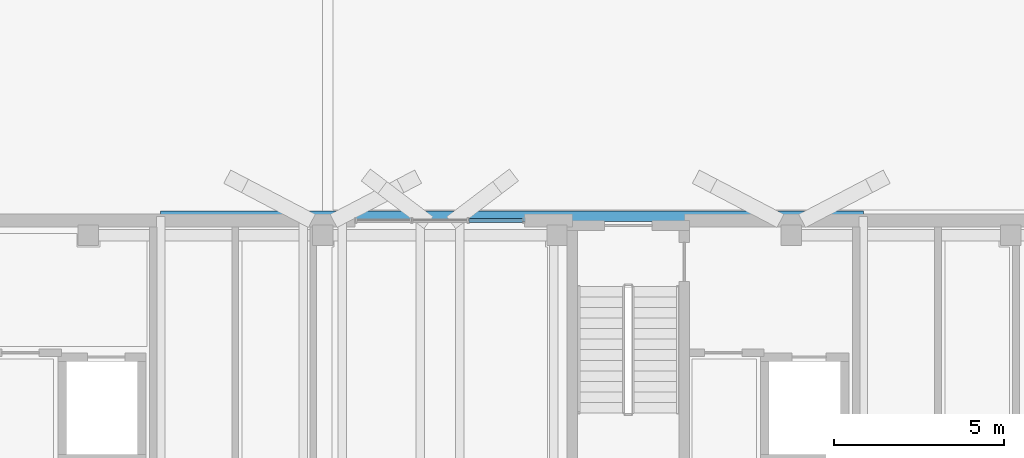
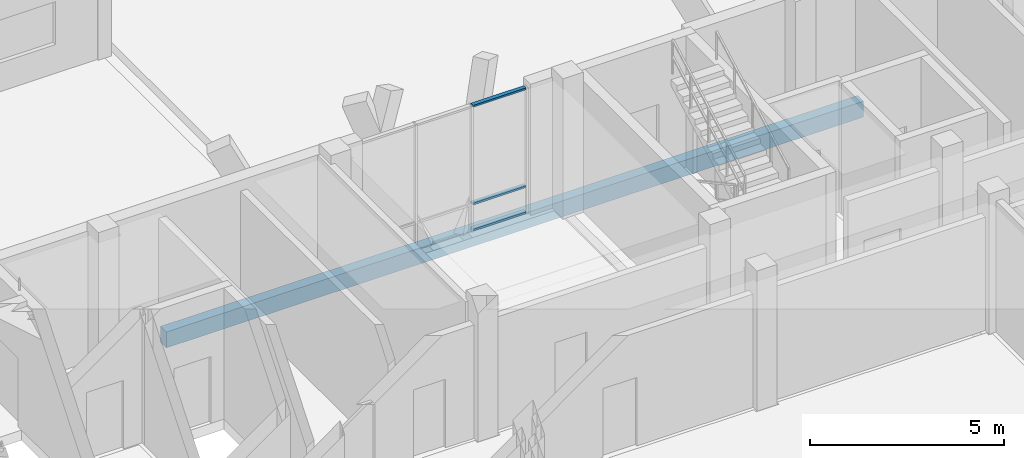
# One storey, part 32 of 233: 3 members, 1 beam, 1 element without a shape of its own.
"""IFC4 building model written with IfcOpenShell, lengths in metres."""

from ifc_helpers import new_model, si_unit, direction, frame, origin, origin_2d, place, context, subcontext, project, spatial, rectangle, hollow_rectangle, extrude, material, material_profile, profile_set, type_object, element, aggregate, save


model = new_model("IFC4")

# Units and contexts
model_context = context("Model", 3, precision=1e-05, world=origin(), true_north=direction((0.0, 1.0)))
body_context = subcontext(model_context, "Body", "Model", "MODEL_VIEW")
ifc_project = project(units=[si_unit("LENGTHUNIT", "METRE"), si_unit("AREAUNIT", "SQUARE_METRE"), si_unit("VOLUMEUNIT", "CUBIC_METRE"), si_unit("PLANEANGLEUNIT", "RADIAN"), si_unit("MASSUNIT", "GRAM", prefix="KILO")], contexts=[model_context])

# Site, building, storey
site_placement = place(None, origin())
site = spatial("IfcSite", under=ifc_project, at=site_placement, CompositionType="ELEMENT")
building_placement = place(site_placement, origin())
building = spatial("IfcBuilding", under=site, at=building_placement, Name="Zavelmont Quarter", CompositionType="ELEMENT")
storey_placement = place(building_placement, origin())
storey = spatial("IfcBuildingStorey", under=building, at=storey_placement, Name="L00", CompositionType="ELEMENT", Elevation=0.0)

# Beam
ifc_material_1 = material(Name="Concrete C35/45", Category="concrete")
ifc_material_profile_1 = material_profile(ifc_material_1, rectangle(XDim=0.300048828125, YDim=0.5, at=origin_2d()), Name="RC300X500")
ifc_profile_set_1 = profile_set([ifc_material_profile_1], Name="Concrete C35/45")
beam_type = type_object("IfcBeamType", Name="BM03", PredefinedType="BEAM", material=ifc_profile_set_1)
beam_placement = place(storey_placement, frame((15.925048828125, 18.52001953125, -0.25), z_axis=(1.0, 0.0, 0.0), x_axis=(0.0, 1.0, 0.0)))
element("IfcBeam", 1, at=beam_placement, inside=storey, type_object=beam_type, Name="L00 beam BM03 3/D to 6/D", PredefinedType="BEAM", context=body_context, shape_type="SweptSolid", body=[
    extrude(rectangle(XDim=0.300048828125, YDim=0.5, at=origin_2d()), origin(), (0.0, 0.0, 1.0), 20.699951171875),
])

# Curtain wall, members
ifc_material_2 = material(Name="Thermally broken aluminium and double low-E safety glazing", Category="aluminium")
curtain_wall_type = type_object("IfcCurtainWallType", Name="CW-500X395", PredefinedType="NOTDEFINED", material=ifc_material_2)
curtain_wall_placement = place(storey_placement, origin())
curtain_wall = element("IfcCurtainWall", 2, at=curtain_wall_placement, inside=storey, type_object=curtain_wall_type, Name="L00 unitised curtain wall CW-500X395", PredefinedType="NOTDEFINED")
ifc_material_3 = material(Name="Powder-coated aluminium EN AW-6063-T6", Category="aluminium")
ifc_material_profile_2 = material_profile(ifc_material_3, hollow_rectangle(XDim=0.1201171875, YDim=0.06005859375, WallThickness=0.00390625, at=origin_2d()), Name="CWT60X120")
ifc_profile_set_2 = profile_set([ifc_material_profile_2], Name="Powder-coated aluminium EN AW-6063-T6")
member_type = type_object("IfcMemberType", Name="CWT01", PredefinedType="NOTDEFINED", material=ifc_profile_set_2)
member_1_placement = place(storey_placement, frame((25.013427734375, 18.39990234375, 0.030029296875), z_axis=(1.0, 0.0, 0.0), x_axis=(0.0, 1.0, 0.0)))
member_1 = element("IfcMember", 3, at=member_1_placement, type_object=member_type, Name="CW-500X395 transom 3.1", ObjectType="TRANSOM", PredefinedType="USERDEFINED", context=body_context, shape_type="SweptSolid", body=[
    extrude(hollow_rectangle(XDim=0.1201171875, YDim=0.06005859375, WallThickness=0.00390625, at=origin_2d()), origin(), (0.0, 0.0, 1.0), 1.57666015625),
])
member_2_placement = place(storey_placement, frame((25.013427734375, 18.39990234375, 0.85009765625), z_axis=(1.0, 0.0, 0.0), x_axis=(0.0, 1.0, 0.0)))
member_2 = element("IfcMember", 4, at=member_2_placement, type_object=member_type, Name="CW-500X395 transom 3.2", ObjectType="TRANSOM", PredefinedType="USERDEFINED", context=body_context, shape_type="SweptSolid", body=[
    extrude(hollow_rectangle(XDim=0.1201171875, YDim=0.06005859375, WallThickness=0.00390625, at=origin_2d()), origin(), (0.0, 0.0, 1.0), 1.57666015625),
])
member_3_placement = place(storey_placement, frame((25.013427734375, 18.39990234375, 3.919921875), z_axis=(1.0, 0.0, 0.0), x_axis=(0.0, 1.0, 0.0)))
member_3 = element("IfcMember", 5, at=member_3_placement, type_object=member_type, Name="CW-500X395 transom 3.3", ObjectType="TRANSOM", PredefinedType="USERDEFINED", context=body_context, shape_type="SweptSolid", body=[
    extrude(hollow_rectangle(XDim=0.1201171875, YDim=0.06005859375, WallThickness=0.00390625, at=origin_2d()), origin(), (0.0, 0.0, 1.0), 1.57666015625),
])
aggregate(curtain_wall, [member_1, member_2, member_3])

save(model, "model.ifc")
